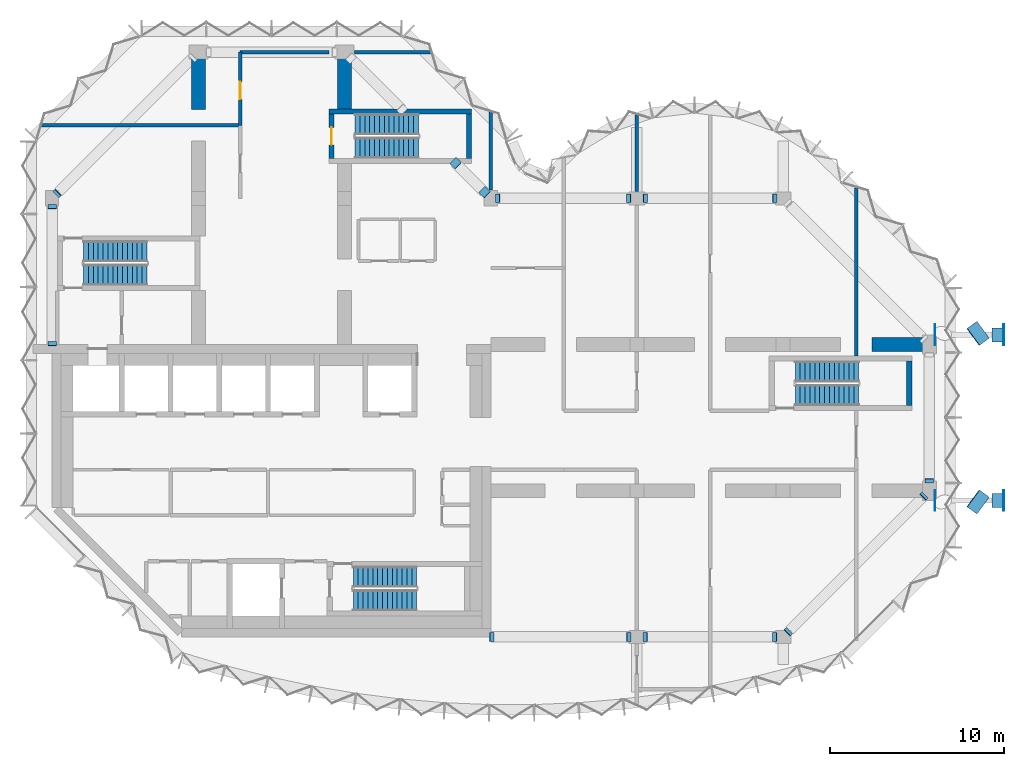
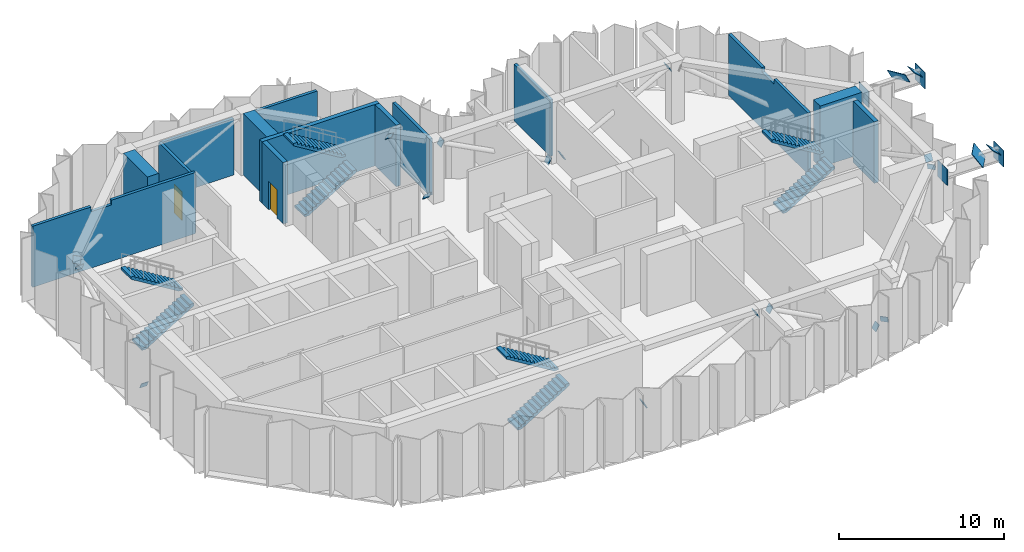
# One storey, part 6 of 13: 24 discrete accessories, 14 walls, 8 stair flights, 2 doors, 2 openings, 4 elements without a shape of their own.
"""IFC4 building model written with IfcOpenShell, lengths in metres."""

from ifc_helpers import new_model, si_unit, direction, frame, frame_2d, origin, origin_2d, place, context, subcontext, project, spatial, polyline, rectangle, outline, extrude, material, layer, layer_set, type_object, element, fill, aggregate, save


model = new_model("IFC4")

# Units and contexts
model_context = context("Model", 3, precision=1e-05, world=origin(), true_north=direction((0.0, 1.0)))
body_context = subcontext(model_context, "Body", "Model", "MODEL_VIEW")
ifc_project = project(units=[si_unit("LENGTHUNIT", "METRE"), si_unit("AREAUNIT", "SQUARE_METRE"), si_unit("VOLUMEUNIT", "CUBIC_METRE"), si_unit("PLANEANGLEUNIT", "RADIAN"), si_unit("MASSUNIT", "GRAM", prefix="KILO")], contexts=[model_context])

# Site, building, storey
site_placement = place(None, origin())
site = spatial("IfcSite", under=ifc_project, at=site_placement, CompositionType="ELEMENT")
building_placement = place(site_placement, origin())
building = spatial("IfcBuilding", under=site, at=building_placement, Name="Brevane Broadcast Tower", CompositionType="ELEMENT")
storey_placement = place(building_placement, frame((0.0, 0.0, 210.89990234375)))
storey = spatial("IfcBuildingStorey", under=building, at=storey_placement, Name="L53", CompositionType="ELEMENT", Elevation=210.89990234375)

# Wall
ifc_material_1 = material(Name="Concrete C50/60", Category="concrete")
ifc_layer_1 = layer(ifc_material_1, 0.300048828125)
ifc_layer_set_1 = layer_set([ifc_layer_1], Name="Core wall 300 mm C50/60")
wall_type_1 = type_object("IfcWallType", Name="Core wall 300 mm C50/60", PredefinedType="SHEAR", material=ifc_layer_set_1)
wall_1_placement = place(storey_placement, frame((15.89990234375, 30.199951171875, 0.0), z_axis=(0.0, 0.0, 1.0), x_axis=(1.0, 0.0, 0.0)))
element("IfcWall", 1, at=wall_1_placement, inside=storey, type_object=wall_type_1, Name="L53 stair wall ST-3-N", PredefinedType="SHEAR", context=body_context, shape_type="SweptSolid", body=[
    extrude(rectangle(XDim=8.2001953125, YDim=0.300048828125, at=frame_2d((4.10009765625, 0.0))), origin(), (0.0, 0.0, 1.0), 4.550048828125),
])

# Wall, opening, door
wall_2_placement = place(storey_placement, frame((16.050048828125, 27.5, 0.0), z_axis=(0.0, 0.0, 1.0), x_axis=(0.0, 1.0, 0.0)))
wall_2 = element("IfcWall", 2, at=wall_2_placement, inside=storey, type_object=wall_type_1, Name="L53 stair wall ST-3-W", PredefinedType="SHEAR", context=body_context, shape_type="SweptSolid", body=[
    extrude(rectangle(XDim=2.550048828125, YDim=0.300048828125, at=frame_2d((1.27490234375, 0.0))), origin(), (0.0, 0.0, 1.0), 4.550048828125),
])
opening_1_placement = place(wall_2_placement, frame((0.77490234375, 0.0, 0.0)))
opening_1 = element("IfcOpeningElement", 3, at=opening_1_placement, cuts=wall_2, Name="Opening L53-K12", PredefinedType="OPENING", context=body_context, shape_type="SweptSolid", body=[
    extrude(rectangle(XDim=1.0, YDim=2.10009765625, at=frame_2d((0.5, 1.050048828125))), frame((0.0, 0.159912109375, 0.0), z_axis=(0.0, -1.0, 0.0), x_axis=(1.0, 0.0, 0.0)), (0.0, 0.0, 1.0), 0.320068359375),
])
ifc_material_2 = material(Name="Steel", Category="steel")
door_type_1 = type_object("IfcDoorType", Name="Stair door 1000 x 2100", OperationType="SINGLE_SWING_LEFT", PredefinedType="DOOR", material=ifc_material_2)
door_1_placement = place(opening_1_placement, origin())
door_1 = element("IfcDoor", 4, at=door_1_placement, inside=storey, type_object=door_type_1, Name="Door L53-K12", OperationType="SINGLE_SWING_RIGHT", OverallHeight=2.10009765625, OverallWidth=1.0, PredefinedType="DOOR", context=body_context, shape_type="SweptSolid", body=[
    extrude(rectangle(XDim=1.0, YDim=2.10009765625, at=frame_2d((0.5, 1.050048828125))), frame((0.0, 0.02490234375, 0.0), z_axis=(0.0, -1.0, 0.0), x_axis=(1.0, 0.0, 0.0)), (0.0, 0.0, 1.0), 0.050048828125),
])
fill(opening_1, door_1)

# Walls
for number, where, z_axis, x_axis, name in (
    (5, (23.949951171875, 27.5, 0.0), (0.0, 0.0, 1.0), (0.0, 1.0, 0.0), "L53 stair wall ST-3-E"),
    (6, (49.25, 13.300048828125, 0.0), (0.0, 0.0, 1.0), (0.0, 1.0, 0.0), "L53 stair wall ST-4-E"),
):
    element("IfcWall", number, at=place(storey_placement, frame(where, z_axis=z_axis, x_axis=x_axis)), inside=storey, type_object=wall_type_1, Name=name, PredefinedType="SHEAR", context=body_context, shape_type="SweptSolid", body=[
        extrude(rectangle(XDim=2.550048828125, YDim=0.300048828125, at=frame_2d((1.27490234375, 0.0))), origin(), (0.0, 0.0, 1.0), 4.550048828125),
    ])
ifc_material_3 = material(Name="Gypsum board partition")
ifc_layer_2 = layer(ifc_material_3, 0.199951171875)
ifc_layer_set_2 = layer_set([ifc_layer_2], Name="PARTITION 200 EI 120")
wall_type_2 = type_object("IfcWallType", Name="PARTITION 200 EI 120", PredefinedType="PARTITIONING", material=ifc_layer_set_2)
wall_3_placement = place(storey_placement, frame((25.199951171875, 25.669921875, 0.0), z_axis=(0.0, 0.0, 1.0), x_axis=(0.0, 1.0, 0.0)))
element("IfcWall", 7, at=wall_3_placement, inside=storey, type_object=wall_type_2, Name="Partition R3-005", PredefinedType="PARTITIONING", context=body_context, shape_type="SweptSolid", body=[
    extrude(rectangle(XDim=4.48681640625, YDim=0.199951171875, at=frame_2d((2.243408203125, 0.0))), origin(), (0.0, 0.0, 1.0), 4.18017578125),
])
wall_4_placement = place(storey_placement, frame((46.199951171875, 16.14990234375, 0.0), z_axis=(0.0, 0.0, 1.0), x_axis=(0.0, 1.0, 0.0)))
element("IfcWall", 8, at=wall_4_placement, inside=storey, type_object=wall_type_2, Name="Partition R3-012", PredefinedType="PARTITIONING", context=body_context, shape_type="SweptSolid", body=[
    extrude(outline(polyline([(0.0, 0.0), (9.65380859375, 0.0), (9.65380859375, 4.530029296875), (9.25, 4.530029296875), (5.565673828125, 4.530029296875), (5.563720703125, 4.18017578125), (4.13623046875, 4.18017578125), (4.13427734375, 4.530029296875), (0.0, 4.530029296875), (0.0, 0.0)])), frame((0.0, 0.10009765625, 0.0), z_axis=(0.0, -1.0, 0.0), x_axis=(1.0, 0.0, 0.0)), (0.0, 0.0, 1.0), 0.199951171875),
])
wall_5_placement = place(storey_placement, frame((33.60009765625, 25.594970703125, 0.0), z_axis=(0.0, 0.0, 1.0), x_axis=(0.0, 1.0, 0.0)))
element("IfcWall", 9, at=wall_5_placement, inside=storey, type_object=wall_type_2, Name="Partition R3-020", PredefinedType="PARTITIONING", context=body_context, shape_type="SweptSolid", body=[
    extrude(rectangle(XDim=4.39208984375, YDim=0.199951171875, at=frame_2d((2.196044921875, 0.0))), origin(), (0.0, 0.0, 1.0), 4.18017578125),
])

# Wall, opening, door
wall_6_placement = place(storey_placement, frame((10.800048828125, 29.39990234375, 0.0), z_axis=(0.0, 0.0, 1.0), x_axis=(0.0, 1.0, 0.0)))
wall_6 = element("IfcWall", 10, at=wall_6_placement, inside=storey, type_object=wall_type_2, Name="Partition R3-023", PredefinedType="PARTITIONING", context=body_context, shape_type="SweptSolid", body=[
    extrude(rectangle(XDim=4.2001953125, YDim=0.199951171875, at=frame_2d((2.10009765625, 0.0))), origin(), (0.0, 0.0, 1.0), 4.18017578125),
])
opening_2_placement = place(wall_6_placement, frame((1.5, 0.0, 0.0)))
opening_2 = element("IfcOpeningElement", 11, at=opening_2_placement, cuts=wall_6, Name="Opening D26-008", PredefinedType="OPENING", context=body_context, shape_type="SweptSolid", body=[
    extrude(rectangle(XDim=1.0, YDim=2.10009765625, at=frame_2d((0.5, 1.050048828125))), frame((0.0, 0.10986328125, 0.0), z_axis=(0.0, -1.0, 0.0), x_axis=(1.0, 0.0, 0.0)), (0.0, 0.0, 1.0), 0.219970703125),
])
ifc_material_4 = material(Name="Fire-rated timber door leaf", Category="wood")
door_type_2 = type_object("IfcDoorType", Name="DOOR SINGLE 1000 FD60", OperationType="SINGLE_SWING_LEFT", PredefinedType="DOOR", material=ifc_material_4)
door_2_placement = place(opening_2_placement, origin())
door_2 = element("IfcDoor", 12, at=door_2_placement, inside=storey, type_object=door_type_2, Name="Door D26-008", OperationType="SINGLE_SWING_LEFT", OverallHeight=2.10009765625, OverallWidth=1.0, PredefinedType="DOOR", context=body_context, shape_type="SweptSolid", body=[
    extrude(rectangle(XDim=1.0, YDim=2.10009765625, at=frame_2d((0.5, 1.050048828125))), frame((0.0, 0.02490234375, 0.0), z_axis=(0.0, -1.0, 0.0), x_axis=(1.0, 0.0, 0.0)), (0.0, 0.0, 1.0), 0.050048828125),
])
fill(opening_2, door_2)

# Walls
wall_7_placement = place(storey_placement, frame((10.800048828125, 33.60009765625, 0.0), z_axis=(0.0, 0.0, 1.0), x_axis=(1.0, 0.0, 0.0)))
element("IfcWall", 13, at=wall_7_placement, inside=storey, type_object=wall_type_2, Name="Partition R3-024", PredefinedType="PARTITIONING", context=body_context, shape_type="SweptSolid", body=[
    extrude(outline(polyline([(0.0, 0.0), (5.099853515625, 0.0), (5.10009765625, 4.18017578125), (0.0, 4.18017578125), (0.0, 0.0)])), frame((0.0, 0.10009765625, 0.0), z_axis=(0.0, -1.0, 0.0), x_axis=(1.0, 0.0, 0.0)), (0.0, 0.0, 1.0), 0.199951171875),
])
wall_8_placement = place(storey_placement, frame((17.3701171875, 33.60009765625, 0.0), z_axis=(0.0, 0.0, 1.0), x_axis=(1.0, 0.0, 0.0)))
element("IfcWall", 14, at=wall_8_placement, inside=storey, type_object=wall_type_2, Name="Partition R3-025", PredefinedType="PARTITIONING", context=body_context, shape_type="SweptSolid", body=[
    extrude(rectangle(XDim=4.386474609375, YDim=0.199951171875, at=frame_2d((2.193359375, 0.0))), origin(), (0.0, 0.0, 1.0), 4.18017578125),
])
wall_9_placement = place(storey_placement, frame((-0.603759765625, 29.39990234375, 0.0), z_axis=(0.0, 0.0, 1.0), x_axis=(1.0, 0.0, 0.0)))
element("IfcWall", 15, at=wall_9_placement, inside=storey, type_object=wall_type_2, Name="Partition R3-026", PredefinedType="PARTITIONING", context=body_context, shape_type="SweptSolid", body=[
    extrude(outline(polyline([(0.0, 0.0), (11.40380859375, 0.0), (11.40380859375, 4.530029296875), (5.51953125, 4.530029296875), (5.517578125, 4.18017578125), (4.090087890625, 4.18017578125), (4.088134765625, 4.530029296875), (0.40380859375, 4.530029296875), (0.0, 4.530029296875), (0.0, 0.0)])), frame((0.0, 0.10009765625, 0.0), z_axis=(0.0, -1.0, 0.0), x_axis=(1.0, 0.0, 0.0)), (0.0, 0.0, 1.0), 0.199951171875),
])
ifc_material_5 = material(Name="Concrete C60/75", Category="concrete")
ifc_layer_3 = layer(ifc_material_5, 0.800048828125)
ifc_layer_set_3 = layer_set([ifc_layer_3], Name="RC OUTRIGGER WALL 800 C60/75")
wall_type_3 = type_object("IfcWallType", Name="RC OUTRIGGER WALL 800 C60/75", PredefinedType="SHEAR", material=ifc_layer_set_3)
for number, where, z_axis, x_axis, name in (
    (16, (47.10009765625, 16.800048828125, 0.0), (0.0, 0.0, 1.0), (1.0, 0.0, 0.0), "OR1 L53-12"),
    (17, (8.39990234375, 30.300048828125, 0.0), (0.0, 0.0, 1.0), (0.0, 1.0, 0.0), "OR1 L53-16"),
):
    element("IfcWall", number, at=place(storey_placement, frame(where, z_axis=z_axis, x_axis=x_axis)), inside=storey, type_object=wall_type_3, Name=name, PredefinedType="SHEAR", context=body_context, shape_type="SweptSolid", body=[
        extrude(rectangle(XDim=2.929931640625, YDim=0.800048828125, at=frame_2d((1.46484375, 0.0))), origin(), (0.0, 0.0, 1.0), 4.550048828125),
    ])
wall_10_placement = place(storey_placement, frame((16.800048828125, 30.35009765625, 0.0), z_axis=(0.0, 0.0, 1.0), x_axis=(0.0, 1.0, 0.0)))
element("IfcWall", 18, at=wall_10_placement, inside=storey, type_object=wall_type_3, Name="OR1 L53-19", PredefinedType="SHEAR", context=body_context, shape_type="SweptSolid", body=[
    extrude(rectangle(XDim=2.8798828125, YDim=0.800048828125, at=frame_2d((1.43994140625, 0.0))), origin(), (0.0, 0.0, 1.0), 4.550048828125),
])

# Stair, stair flights
stair_type = type_object("IfcStairType", Name="Exit stair 28 risers", PredefinedType="HALF_TURN_STAIR", material=ifc_material_1)
stair_1_placement = place(storey_placement, origin())
stair_1 = element("IfcStair", 19, at=stair_1_placement, inside=storey, type_object=stair_type, Name="L53 Exit stair ST-1", PredefinedType="HALF_TURN_STAIR")
stair_flight_type = type_object("IfcStairFlightType", Name="Exit stair flight 28 risers", PredefinedType="STRAIGHT", material=ifc_material_1)
stair_flight_1_placement = place(storey_placement, frame((1.800048828125, 20.800048828125, 0.0), z_axis=(0.0, 0.0, 1.0), x_axis=(1.0, 0.0, 0.0)))
stair_flight_1 = element("IfcStairFlight", 20, at=stair_flight_1_placement, type_object=stair_flight_type, Name="ST-1 flight 1", NumberOfRisers=14, NumberOfTreads=13, PredefinedType="STRAIGHT", RiserHeight=0.171428571, TreadLength=0.28, context=body_context, shape_type="SweptSolid", body=[
    extrude(outline(polyline([(0.0, 0.0), (0.0, 0.17138671875), (0.280029296875, 0.17138671875), (0.280029296875, 0.3427734375), (0.56005859375, 0.3427734375), (0.56005859375, 0.514404296875), (0.840087890625, 0.514404296875), (0.840087890625, 0.685791015625), (1.1201171875, 0.685791015625), (1.1201171875, 0.857177734375), (1.39990234375, 0.857177734375), (1.39990234375, 1.028564453125), (1.679931640625, 1.028564453125), (1.679931640625, 1.199951171875), (1.9599609375, 1.199951171875), (1.9599609375, 1.371337890625), (2.239990234375, 1.371337890625), (2.239990234375, 1.54296875), (2.52001953125, 1.54296875), (2.52001953125, 1.71435546875), (2.800048828125, 1.71435546875), (2.800048828125, 1.8857421875), (3.080078125, 1.8857421875), (3.080078125, 2.05712890625), (3.360107421875, 2.05712890625), (3.360107421875, 2.228515625), (3.639892578125, 2.228515625), (3.639892578125, 2.39990234375), (3.639892578125, 2.052734375), (0.287109375, 0.0), (0.0, 0.0)])), frame((0.0, 0.60009765625, 0.0), z_axis=(0.0, -1.0, 0.0), x_axis=(1.0, 0.0, 0.0)), (0.0, 0.0, 1.0), 1.199951171875),
])
stair_flight_2_placement = place(storey_placement, frame((5.43994140625, 22.14990234375, 2.400146484375), z_axis=(0.0, 0.0, 1.0), x_axis=(-1.0, 0.0, 0.0)))
stair_flight_2 = element("IfcStairFlight", 21, at=stair_flight_2_placement, type_object=stair_flight_type, Name="ST-1 flight 2", NumberOfRisers=14, NumberOfTreads=13, PredefinedType="STRAIGHT", RiserHeight=0.171428571, TreadLength=0.28, context=body_context, shape_type="SweptSolid", body=[
    extrude(outline(polyline([(0.0, 0.0), (0.0, 0.17138671875), (0.280029296875, 0.17138671875), (0.280029296875, 0.3427734375), (0.56005859375, 0.3427734375), (0.56005859375, 0.514404296875), (0.840087890625, 0.514404296875), (0.840087890625, 0.685791015625), (1.1201171875, 0.685791015625), (1.1201171875, 0.857177734375), (1.39990234375, 0.857177734375), (1.39990234375, 1.028564453125), (1.679931640625, 1.028564453125), (1.679931640625, 1.199951171875), (1.9599609375, 1.199951171875), (1.9599609375, 1.371337890625), (2.239990234375, 1.371337890625), (2.239990234375, 1.54296875), (2.52001953125, 1.54296875), (2.52001953125, 1.71435546875), (2.800048828125, 1.71435546875), (2.800048828125, 1.8857421875), (3.080078125, 1.8857421875), (3.080078125, 2.05712890625), (3.360107421875, 2.05712890625), (3.360107421875, 2.228515625), (3.639892578125, 2.228515625), (3.639892578125, 2.39990234375), (3.639892578125, 2.052734375), (0.287109375, 0.0), (0.0, 0.0)])), frame((0.0, 0.60009765625, 0.0), z_axis=(0.0, -1.0, 0.0), x_axis=(1.0, 0.0, 0.0)), (0.0, 0.0, 1.0), 1.199951171875),
])
aggregate(stair_1, [stair_flight_1, stair_flight_2])

stair_2_placement = place(storey_placement, origin())
stair_2 = element("IfcStair", 22, at=stair_2_placement, inside=storey, type_object=stair_type, Name="L53 Exit stair ST-2", PredefinedType="HALF_TURN_STAIR")
stair_flight_3_placement = place(storey_placement, frame((17.300048828125, 2.10009765625, 0.0), z_axis=(0.0, 0.0, 1.0), x_axis=(1.0, 0.0, 0.0)))
stair_flight_3 = element("IfcStairFlight", 23, at=stair_flight_3_placement, type_object=stair_flight_type, Name="ST-2 flight 1", NumberOfRisers=14, NumberOfTreads=13, PredefinedType="STRAIGHT", RiserHeight=0.171428571, TreadLength=0.28, context=body_context, shape_type="SweptSolid", body=[
    extrude(outline(polyline([(0.0, 0.0), (0.0, 0.17138671875), (0.280029296875, 0.17138671875), (0.280029296875, 0.3427734375), (0.56005859375, 0.3427734375), (0.56005859375, 0.514404296875), (0.840087890625, 0.514404296875), (0.840087890625, 0.685791015625), (1.1201171875, 0.685791015625), (1.1201171875, 0.857177734375), (1.39990234375, 0.857177734375), (1.39990234375, 1.028564453125), (1.679931640625, 1.028564453125), (1.679931640625, 1.199951171875), (1.9599609375, 1.199951171875), (1.9599609375, 1.371337890625), (2.239990234375, 1.371337890625), (2.239990234375, 1.54296875), (2.52001953125, 1.54296875), (2.52001953125, 1.71435546875), (2.800048828125, 1.71435546875), (2.800048828125, 1.8857421875), (3.080078125, 1.8857421875), (3.080078125, 2.05712890625), (3.360107421875, 2.05712890625), (3.360107421875, 2.228515625), (3.639892578125, 2.228515625), (3.639892578125, 2.39990234375), (3.639892578125, 2.052734375), (0.287109375, 0.0), (0.0, 0.0)])), frame((0.0, 0.60009765625, 0.0), z_axis=(0.0, -1.0, 0.0), x_axis=(1.0, 0.0, 0.0)), (0.0, 0.0, 1.0), 1.199951171875),
])
stair_flight_4_placement = place(storey_placement, frame((20.93994140625, 3.449951171875, 2.400146484375), z_axis=(0.0, 0.0, 1.0), x_axis=(-1.0, 0.0, 0.0)))
stair_flight_4 = element("IfcStairFlight", 24, at=stair_flight_4_placement, type_object=stair_flight_type, Name="ST-2 flight 2", NumberOfRisers=14, NumberOfTreads=13, PredefinedType="STRAIGHT", RiserHeight=0.171428571, TreadLength=0.28, context=body_context, shape_type="SweptSolid", body=[
    extrude(outline(polyline([(0.0, 0.0), (0.0, 0.17138671875), (0.280029296875, 0.17138671875), (0.280029296875, 0.3427734375), (0.56005859375, 0.3427734375), (0.56005859375, 0.514404296875), (0.840087890625, 0.514404296875), (0.840087890625, 0.685791015625), (1.1201171875, 0.685791015625), (1.1201171875, 0.857177734375), (1.39990234375, 0.857177734375), (1.39990234375, 1.028564453125), (1.679931640625, 1.028564453125), (1.679931640625, 1.199951171875), (1.9599609375, 1.199951171875), (1.9599609375, 1.371337890625), (2.239990234375, 1.371337890625), (2.239990234375, 1.54296875), (2.52001953125, 1.54296875), (2.52001953125, 1.71435546875), (2.800048828125, 1.71435546875), (2.800048828125, 1.8857421875), (3.080078125, 1.8857421875), (3.080078125, 2.05712890625), (3.360107421875, 2.05712890625), (3.360107421875, 2.228515625), (3.639892578125, 2.228515625), (3.639892578125, 2.39990234375), (3.639892578125, 2.052734375), (0.287109375, 0.0), (0.0, 0.0)])), frame((0.0, 0.60009765625, 0.0), z_axis=(0.0, -1.0, 0.0), x_axis=(1.0, 0.0, 0.0)), (0.0, 0.0, 1.0), 1.199951171875),
])
aggregate(stair_2, [stair_flight_3, stair_flight_4])

stair_3_placement = place(storey_placement, origin())
stair_3 = element("IfcStair", 25, at=stair_3_placement, inside=storey, type_object=stair_type, Name="L53 Exit stair ST-3", PredefinedType="HALF_TURN_STAIR")
stair_flight_5_placement = place(storey_placement, frame((17.39990234375, 28.10009765625, 0.0), z_axis=(0.0, 0.0, 1.0), x_axis=(1.0, 0.0, 0.0)))
stair_flight_5 = element("IfcStairFlight", 26, at=stair_flight_5_placement, type_object=stair_flight_type, Name="ST-3 flight 1", NumberOfRisers=14, NumberOfTreads=13, PredefinedType="STRAIGHT", RiserHeight=0.171428571, TreadLength=0.28, context=body_context, shape_type="SweptSolid", body=[
    extrude(outline(polyline([(0.0, 0.0), (0.0, 0.17138671875), (0.280029296875, 0.17138671875), (0.280029296875, 0.3427734375), (0.56005859375, 0.3427734375), (0.56005859375, 0.514404296875), (0.840087890625, 0.514404296875), (0.840087890625, 0.685791015625), (1.1201171875, 0.685791015625), (1.1201171875, 0.857177734375), (1.39990234375, 0.857177734375), (1.39990234375, 1.028564453125), (1.679931640625, 1.028564453125), (1.679931640625, 1.199951171875), (1.9599609375, 1.199951171875), (1.9599609375, 1.371337890625), (2.239990234375, 1.371337890625), (2.239990234375, 1.54296875), (2.52001953125, 1.54296875), (2.52001953125, 1.71435546875), (2.800048828125, 1.71435546875), (2.800048828125, 1.8857421875), (3.080078125, 1.8857421875), (3.080078125, 2.05712890625), (3.360107421875, 2.05712890625), (3.360107421875, 2.228515625), (3.639892578125, 2.228515625), (3.639892578125, 2.39990234375), (3.639892578125, 2.052734375), (0.287109375, 0.0), (0.0, 0.0)])), frame((0.0, 0.60009765625, 0.0), z_axis=(0.0, -1.0, 0.0), x_axis=(1.0, 0.0, 0.0)), (0.0, 0.0, 1.0), 1.199951171875),
])
stair_flight_6_placement = place(storey_placement, frame((21.0400390625, 29.449951171875, 2.400146484375), z_axis=(0.0, 0.0, 1.0), x_axis=(-1.0, 0.0, 0.0)))
stair_flight_6 = element("IfcStairFlight", 27, at=stair_flight_6_placement, type_object=stair_flight_type, Name="ST-3 flight 2", NumberOfRisers=14, NumberOfTreads=13, PredefinedType="STRAIGHT", RiserHeight=0.171428571, TreadLength=0.28, context=body_context, shape_type="SweptSolid", body=[
    extrude(outline(polyline([(0.0, 0.0), (0.0, 0.17138671875), (0.280029296875, 0.17138671875), (0.280029296875, 0.3427734375), (0.56005859375, 0.3427734375), (0.56005859375, 0.514404296875), (0.840087890625, 0.514404296875), (0.840087890625, 0.685791015625), (1.1201171875, 0.685791015625), (1.1201171875, 0.857177734375), (1.39990234375, 0.857177734375), (1.39990234375, 1.028564453125), (1.679931640625, 1.028564453125), (1.679931640625, 1.199951171875), (1.9599609375, 1.199951171875), (1.9599609375, 1.371337890625), (2.239990234375, 1.371337890625), (2.239990234375, 1.54296875), (2.52001953125, 1.54296875), (2.52001953125, 1.71435546875), (2.800048828125, 1.71435546875), (2.800048828125, 1.8857421875), (3.080078125, 1.8857421875), (3.080078125, 2.05712890625), (3.360107421875, 2.05712890625), (3.360107421875, 2.228515625), (3.639892578125, 2.228515625), (3.639892578125, 2.39990234375), (3.639892578125, 2.052734375), (0.287109375, 0.0), (0.0, 0.0)])), frame((0.0, 0.60009765625, 0.0), z_axis=(0.0, -1.0, 0.0), x_axis=(1.0, 0.0, 0.0)), (0.0, 0.0, 1.0), 1.199951171875),
])
aggregate(stair_3, [stair_flight_5, stair_flight_6])

stair_4_placement = place(storey_placement, origin())
stair_4 = element("IfcStair", 28, at=stair_4_placement, inside=storey, type_object=stair_type, Name="L53 Exit stair ST-4", PredefinedType="HALF_TURN_STAIR")
stair_flight_7_placement = place(storey_placement, frame((42.699951171875, 13.89990234375, 0.0), z_axis=(0.0, 0.0, 1.0), x_axis=(1.0, 0.0, 0.0)))
stair_flight_7 = element("IfcStairFlight", 29, at=stair_flight_7_placement, type_object=stair_flight_type, Name="ST-4 flight 1", NumberOfRisers=14, NumberOfTreads=13, PredefinedType="STRAIGHT", RiserHeight=0.171428571, TreadLength=0.28, context=body_context, shape_type="SweptSolid", body=[
    extrude(outline(polyline([(0.0, 0.0), (0.0, 0.17138671875), (0.280029296875, 0.17138671875), (0.280029296875, 0.3427734375), (0.56005859375, 0.3427734375), (0.56005859375, 0.514404296875), (0.840087890625, 0.514404296875), (0.840087890625, 0.685791015625), (1.1201171875, 0.685791015625), (1.1201171875, 0.857177734375), (1.39990234375, 0.857177734375), (1.39990234375, 1.028564453125), (1.679931640625, 1.028564453125), (1.679931640625, 1.199951171875), (1.9599609375, 1.199951171875), (1.9599609375, 1.371337890625), (2.239990234375, 1.371337890625), (2.239990234375, 1.54296875), (2.52001953125, 1.54296875), (2.52001953125, 1.71435546875), (2.800048828125, 1.71435546875), (2.800048828125, 1.8857421875), (3.080078125, 1.8857421875), (3.080078125, 2.05712890625), (3.360107421875, 2.05712890625), (3.360107421875, 2.228515625), (3.639892578125, 2.228515625), (3.639892578125, 2.39990234375), (3.639892578125, 2.052734375), (0.287109375, 0.0), (0.0, 0.0)])), frame((0.0, 0.60009765625, 0.0), z_axis=(0.0, -1.0, 0.0), x_axis=(1.0, 0.0, 0.0)), (0.0, 0.0, 1.0), 1.199951171875),
])
stair_flight_8_placement = place(storey_placement, frame((46.340087890625, 15.25, 2.400146484375), z_axis=(0.0, 0.0, 1.0), x_axis=(-1.0, 0.0, 0.0)))
stair_flight_8 = element("IfcStairFlight", 30, at=stair_flight_8_placement, type_object=stair_flight_type, Name="ST-4 flight 2", NumberOfRisers=14, NumberOfTreads=13, PredefinedType="STRAIGHT", RiserHeight=0.171428571, TreadLength=0.28, context=body_context, shape_type="SweptSolid", body=[
    extrude(outline(polyline([(0.0, 0.0), (0.0, 0.17138671875), (0.280029296875, 0.17138671875), (0.280029296875, 0.3427734375), (0.56005859375, 0.3427734375), (0.56005859375, 0.514404296875), (0.840087890625, 0.514404296875), (0.840087890625, 0.685791015625), (1.1201171875, 0.685791015625), (1.1201171875, 0.857177734375), (1.39990234375, 0.857177734375), (1.39990234375, 1.028564453125), (1.679931640625, 1.028564453125), (1.679931640625, 1.199951171875), (1.9599609375, 1.199951171875), (1.9599609375, 1.371337890625), (2.239990234375, 1.371337890625), (2.239990234375, 1.54296875), (2.52001953125, 1.54296875), (2.52001953125, 1.71435546875), (2.800048828125, 1.71435546875), (2.800048828125, 1.8857421875), (3.080078125, 1.8857421875), (3.080078125, 2.05712890625), (3.360107421875, 2.05712890625), (3.360107421875, 2.228515625), (3.639892578125, 2.228515625), (3.639892578125, 2.39990234375), (3.639892578125, 2.052734375), (0.287109375, 0.0), (0.0, 0.0)])), frame((0.0, 0.60009765625, 0.0), z_axis=(0.0, -1.0, 0.0), x_axis=(1.0, 0.0, 0.0)), (0.0, 0.0, 1.0), 1.199951171875),
])
aggregate(stair_4, [stair_flight_7, stair_flight_8])

# Discrete accessories
ifc_material_6 = material(Name="Steel S355", Category="steel")
ifc_layer_4 = layer(ifc_material_6, 0.0400390625)
ifc_layer_set_4 = layer_set([ifc_layer_4], Name="Gusset plate 1200x1200x40 S355")
discrete_accessory_type_1 = type_object("IfcDiscreteAccessoryType", Name="Gusset plate 1200x1200x40 S355", PredefinedType="ANCHORPLATE", material=ifc_layer_set_4)
for number, where, z_axis, x_axis, name in (
    (31, (50.7099609375, 7.840087890625, 3.550048828125), (1.0, 0.0, 0.0), (0.0, 1.0, 0.0), "Gusset plate GP4-58"),
    (32, (54.64990234375, 7.840087890625, 3.550048828125), (1.0, 0.0, 0.0), (0.0, 1.0, 0.0), "Gusset plate GP4-59"),
    (33, (50.7099609375, 17.360107421875, 3.550048828125), (1.0, 0.0, 0.0), (0.0, 1.0, 0.0), "Gusset plate GP4-60"),
    (34, (54.64990234375, 17.360107421875, 3.550048828125), (1.0, 0.0, 0.0), (0.0, 1.0, 0.0), "Gusset plate GP4-61"),
    (35, (53.183837890625, 7.768310546875, 3.99658203125), (0.66044237956, -0.483101370234, 0.574829478506), (0.59039127215, 0.807117182179, 0.0), "Gusset plate GP4-62"),
    (36, (53.183837890625, 17.431884765625, 3.99658203125), (0.66044237956, 0.483101370234, 0.574829478506), (-0.59039127215, 0.807117182179, 0.0), "Gusset plate GP4-63"),
):
    element("IfcDiscreteAccessory", number, at=place(storey_placement, frame(where, z_axis=z_axis, x_axis=x_axis)), inside=storey, type_object=discrete_accessory_type_1, Name=name, PredefinedType="ANCHORPLATE", context=body_context, shape_type="SweptSolid", body=[
        extrude(rectangle(XDim=1.199951171875, YDim=1.199951171875, at=origin_2d()), origin(), (0.0, 0.0, 1.0), 0.0400390625),
    ])
ifc_layer_5 = layer(ifc_material_6, 0.0400390625)
ifc_layer_set_5 = layer_set([ifc_layer_5], Name="Gusset plate 500x500x40 S355")
discrete_accessory_type_2 = type_object("IfcDiscreteAccessoryType", Name="Gusset plate 500x500x40 S355", PredefinedType="ANCHORPLATE", material=ifc_layer_set_5)
discrete_accessory_1_placement = place(storey_placement, frame((25.236572265625, 0.0, 0.127197265625), z_axis=(0.894427191, 0.0, 0.4472135955), x_axis=(0.0, 1.0, 0.0)))
element("IfcDiscreteAccessory", 37, at=discrete_accessory_1_placement, inside=storey, type_object=discrete_accessory_type_2, Name="Gusset plate GP3-34", PredefinedType="ANCHORPLATE", context=body_context, shape_type="SweptSolid", body=[
    extrude(rectangle(XDim=0.5, YDim=0.5, at=origin_2d()), origin(), (0.0, 0.0, 1.0), 0.039794921875),
])
for number, where, z_axis, x_axis, name in (
    (38, (33.107666015625, 0.0, 4.05517578125), (0.895642431808, 0.0, 0.444774813075), (0.0, 1.0, 0.0), "Gusset plate GP3-35"),
    (39, (41.539794921875, 0.0, 0.12451171875), (-0.883194569852, 0.0, 0.469006771576), (0.0, -1.0, 0.0), "Gusset plate GP3-36"),
    (40, (34.095703125, 0.0, 4.056884765625), (-0.883194569852, 0.0, 0.469006771576), (0.0, -1.0, 0.0), "Gusset plate GP3-37"),
):
    element("IfcDiscreteAccessory", number, at=place(storey_placement, frame(where, z_axis=z_axis, x_axis=x_axis)), inside=storey, type_object=discrete_accessory_type_2, Name=name, PredefinedType="ANCHORPLATE", context=body_context, shape_type="SweptSolid", body=[
        extrude(rectangle(XDim=0.5, YDim=0.5, at=origin_2d()), origin(), (0.0, 0.0, 1.0), 0.0400390625),
    ])
discrete_accessory_2_placement = place(storey_placement, frame((42.270751953125, 0.270751953125, 0.22998046875), z_axis=(0.668005245132, 0.668005245132, 0.32792984761), x_axis=(-0.707106781187, 0.707106781187, 0.0)))
element("IfcDiscreteAccessory", 41, at=discrete_accessory_2_placement, inside=storey, type_object=discrete_accessory_type_2, Name="Gusset plate GP3-38", PredefinedType="ANCHORPLATE", context=body_context, shape_type="SweptSolid", body=[
    extrude(rectangle(XDim=0.5, YDim=0.5, at=origin_2d()), origin(), (0.0, 0.0, 1.0), 0.040283203125),
])
for number, where, z_axis, x_axis, name in (
    (42, (50.077392578125, 8.077392578125, 4.047119140625), (0.669327136167, 0.669327136167, 0.32249398379), (-0.707106781187, 0.707106781187, 0.0), "Gusset plate GP3-39"),
    (43, (50.39990234375, 8.997314453125, 4.057861328125), (0.0, -0.879291966537, 0.476283148541), (1.0, 0.0, 0.0), "Gusset plate GP3-41"),
    (44, (34.060302734375, 25.199951171875, 0.12451171875), (0.883194569852, 0.0, 0.469006771576), (0.0, 1.0, 0.0), "Gusset plate GP3-44"),
    (45, (41.50439453125, 25.199951171875, 4.056884765625), (0.883194569852, 0.0, 0.469006771576), (0.0, 1.0, 0.0), "Gusset plate GP3-45"),
    (46, (33.140380859375, 25.199951171875, 0.125), (-0.885711947261, 0.0, 0.46423522753), (0.0, -1.0, 0.0), "Gusset plate GP3-46"),
):
    element("IfcDiscreteAccessory", number, at=place(storey_placement, frame(where, z_axis=z_axis, x_axis=x_axis)), inside=storey, type_object=discrete_accessory_type_2, Name=name, PredefinedType="ANCHORPLATE", context=body_context, shape_type="SweptSolid", body=[
        extrude(rectangle(XDim=0.5, YDim=0.5, at=origin_2d()), origin(), (0.0, 0.0, 1.0), 0.0400390625),
    ])
discrete_accessory_3_placement = place(storey_placement, frame((25.6201171875, 25.199951171875, 4.056640625), z_axis=(-0.887017774073, 0.0, 0.461735279655), x_axis=(0.0, -1.0, 0.0)))
element("IfcDiscreteAccessory", 47, at=discrete_accessory_3_placement, inside=storey, type_object=discrete_accessory_type_2, Name="Gusset plate GP3-47", PredefinedType="ANCHORPLATE", context=body_context, shape_type="SweptSolid", body=[
    extrude(rectangle(XDim=0.5, YDim=0.5, at=origin_2d()), origin(), (0.0, 0.0, 1.0), 0.040283203125),
])
discrete_accessory_4_placement = place(storey_placement, frame((24.85595703125, 25.544189453125, 0.138427734375), z_axis=(-0.365405599482, 0.359315506157, 0.858703158782), x_axis=(-0.701139951814, -0.713023679811, 0.0)))
element("IfcDiscreteAccessory", 48, at=discrete_accessory_4_placement, inside=storey, type_object=discrete_accessory_type_2, Name="Gusset plate GP3-50", PredefinedType="ANCHORPLATE", context=body_context, shape_type="SweptSolid", body=[
    extrude(rectangle(XDim=0.5, YDim=0.5, at=origin_2d()), origin(), (0.0, 0.0, 1.0), 0.0400390625),
])
discrete_accessory_5_placement = place(storey_placement, frame((23.18359375, 27.21630859375, 4.117431640625), z_axis=(-0.361202676882, 0.367324756151, 0.857091097686), x_axis=(-0.713023679811, -0.701139951814, 0.0)))
element("IfcDiscreteAccessory", 49, at=discrete_accessory_5_placement, inside=storey, type_object=discrete_accessory_type_2, Name="Gusset plate GP3-51", PredefinedType="ANCHORPLATE", context=body_context, shape_type="SweptSolid", body=[
    extrude(rectangle(XDim=0.5, YDim=0.5, at=origin_2d()), origin(), (0.0, 0.0, 1.0), 0.039794921875),
])
for number, where, z_axis, x_axis, name in (
    (50, (0.297607421875, 25.49755859375, 4.047119140625), (-0.67205733949, -0.665947727313, 0.323809445391), (0.703870645189, -0.710328174044, 0.0), "Gusset plate GP3-55"),
    (51, (0.0, 16.83642578125, 0.127197265625), (0.0, 0.895642431808, 0.444774813075), (-1.0, 0.0, 0.0), "Gusset plate GP3-56"),
):
    element("IfcDiscreteAccessory", number, at=place(storey_placement, frame(where, z_axis=z_axis, x_axis=x_axis)), inside=storey, type_object=discrete_accessory_type_2, Name=name, PredefinedType="ANCHORPLATE", context=body_context, shape_type="SweptSolid", body=[
        extrude(rectangle(XDim=0.5, YDim=0.5, at=origin_2d()), origin(), (0.0, 0.0, 1.0), 0.0400390625),
    ])
discrete_accessory_6_placement = place(storey_placement, frame((0.0, 24.707763671875, 4.05517578125), z_axis=(0.0, 0.894427191, 0.4472135955), x_axis=(-1.0, 0.0, 0.0)))
element("IfcDiscreteAccessory", 52, at=discrete_accessory_6_placement, inside=storey, type_object=discrete_accessory_type_2, Name="Gusset plate GP3-57", PredefinedType="ANCHORPLATE", context=body_context, shape_type="SweptSolid", body=[
    extrude(rectangle(XDim=0.5, YDim=0.5, at=origin_2d()), origin(), (0.0, 0.0, 1.0), 0.039794921875),
])
ifc_layer_6 = layer(ifc_material_6, 0.0400390625)
ifc_layer_set_6 = layer_set([ifc_layer_6], Name="Gusset plate 800x800x40 S355")
discrete_accessory_type_3 = type_object("IfcDiscreteAccessoryType", Name="Gusset plate 800x800x40 S355", PredefinedType="ANCHORPLATE", material=ifc_layer_set_6)
for number, where, z_axis, x_axis, name in (
    (53, (54.28271484375, 7.840087890625, 3.980224609375), (0.672672793996, 0.0, 0.739940073396), (0.0, 1.0, 0.0), "Gusset plate GP5-68"),
    (54, (54.28271484375, 17.360107421875, 3.980224609375), (0.672672793996, 0.0, 0.739940073396), (0.0, 1.0, 0.0), "Gusset plate GP5-70"),
):
    element("IfcDiscreteAccessory", number, at=place(storey_placement, frame(where, z_axis=z_axis, x_axis=x_axis)), inside=storey, type_object=discrete_accessory_type_3, Name=name, PredefinedType="ANCHORPLATE", context=body_context, shape_type="SweptSolid", body=[
        extrude(rectangle(XDim=0.800048828125, YDim=0.800048828125, at=origin_2d()), origin(), (0.0, 0.0, 1.0), 0.0400390625),
    ])

save(model, "model.ifc")
